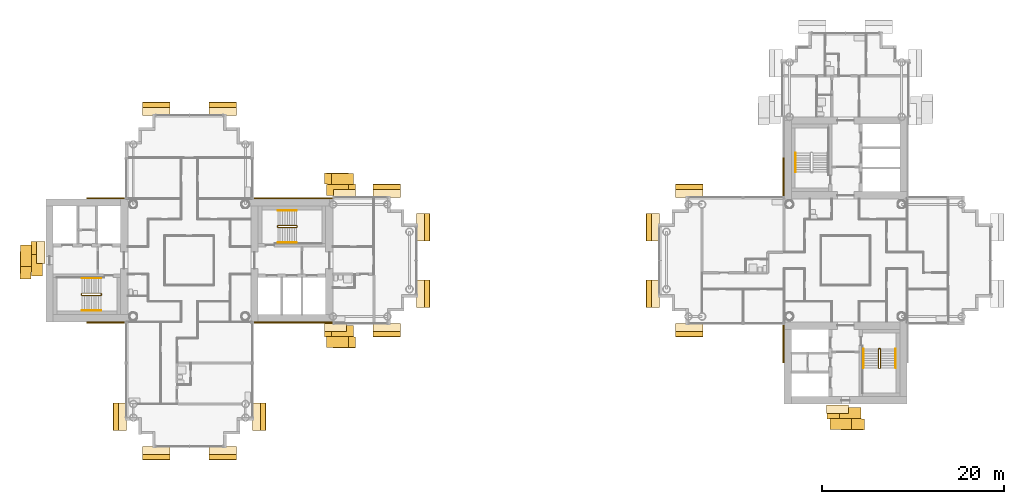
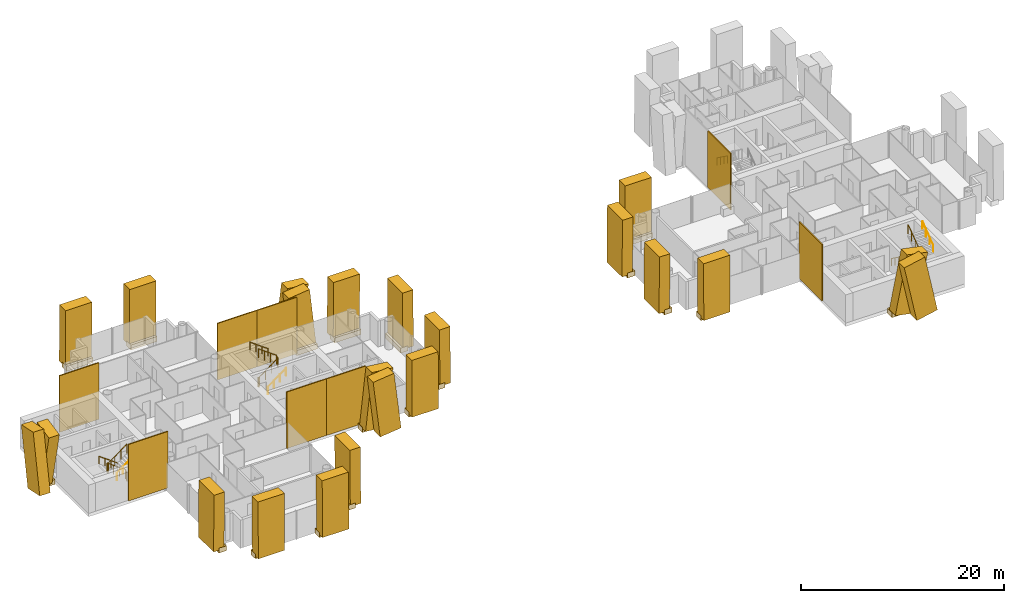
# One storey, part 16 of 18: 48 coverings, 10 railings.
"""IFC4 building model written with IfcOpenShell, lengths in metres."""

from ifc_helpers import new_model, si_unit, direction, frame, origin, origin_2d, place, context, subcontext, project, spatial, rectangle, circle, extrude, material, layer, layer_set, material_profile, profile_set, type_object, element, save


model = new_model("IFC4")

# Units and contexts
model_context = context("Model", 3, precision=1e-05, world=origin(), true_north=direction((0.0, 1.0)))
body_context = subcontext(model_context, "Body", "Model", "MODEL_VIEW")
ifc_project = project(units=[si_unit("LENGTHUNIT", "METRE"), si_unit("AREAUNIT", "SQUARE_METRE"), si_unit("VOLUMEUNIT", "CUBIC_METRE"), si_unit("PLANEANGLEUNIT", "RADIAN"), si_unit("MASSUNIT", "GRAM", prefix="KILO")], contexts=[model_context])

# Site, building, storey
site_placement = place(None, origin())
site = spatial("IfcSite", under=ifc_project, at=site_placement, CompositionType="ELEMENT")
building_placement = place(site_placement, origin())
building = spatial("IfcBuilding", under=site, at=building_placement, Name="Ipe Terrace Towers", CompositionType="ELEMENT")
storey_placement = place(building_placement, frame((0.0, 0.0, 150.699951171875)))
storey = spatial("IfcBuildingStorey", under=building, at=storey_placement, Name="L41", CompositionType="ELEMENT", Elevation=150.699951171875)

# Coverings
ifc_material_1 = material(Name="Concrete C50/60 precast, buff finish", Category="concrete")
ifc_layer = layer(ifc_material_1, 0.1201171875)
ifc_layer_set = layer_set([ifc_layer], Name="STONE CORE CLADDING 120")
covering_type_1 = type_object("IfcCoveringType", Name="STONE CORE CLADDING 120", PredefinedType="CLADDING", material=ifc_layer_set)
for number, where, z_axis, x_axis, name in (
    (1, (-45.0, -6.81005859375, 0.0), (0.0, 0.0, 1.0), (1.0, 0.0, 0.0), "stone core cladding"),
    (2, (-45.0, 6.81005859375, 0.0), (0.0, 0.0, 1.0), (-1.0, 0.0, 0.0), "stone core cladding"),
    (3, (-27.0, -6.81005859375, 0.0), (0.0, 0.0, 1.0), (1.0, 0.0, 0.0), "stone core cladding"),
):
    element("IfcCovering", number, at=place(storey_placement, frame(where, z_axis=z_axis, x_axis=x_axis)), inside=storey, type_object=covering_type_1, Name=name, PredefinedType="CLADDING", context=body_context, shape_type="SweptSolid", body=[
        extrude(rectangle(XDim=4.5, YDim=0.1201171875, at=origin_2d()), origin(), (0.0, 0.0, 1.0), 6.800048828125),
    ])
covering_1_placement = place(storey_placement, frame((-22.4990234375, -6.81005859375, 0.0), z_axis=(0.0, 0.0, 1.0), x_axis=(1.0, 0.0, 0.0)))
element("IfcCovering", 4, at=covering_1_placement, inside=storey, type_object=covering_type_1, Name="stone core cladding", PredefinedType="CLADDING", context=body_context, shape_type="SweptSolid", body=[
    extrude(rectangle(XDim=4.5009765625, YDim=0.1201171875, at=origin_2d()), origin(), (0.0, 0.0, 1.0), 6.800048828125),
])
covering_2_placement = place(storey_placement, frame((-27.0, 6.81005859375, 0.0), z_axis=(0.0, 0.0, 1.0), x_axis=(-1.0, 0.0, 0.0)))
element("IfcCovering", 5, at=covering_2_placement, inside=storey, type_object=covering_type_1, Name="stone core cladding", PredefinedType="CLADDING", context=body_context, shape_type="SweptSolid", body=[
    extrude(rectangle(XDim=4.5, YDim=0.1201171875, at=origin_2d()), origin(), (0.0, 0.0, 1.0), 6.800048828125),
])
covering_3_placement = place(storey_placement, frame((-22.4990234375, 6.81005859375, 0.0), z_axis=(0.0, 0.0, 1.0), x_axis=(-1.0, 0.0, 0.0)))
element("IfcCovering", 6, at=covering_3_placement, inside=storey, type_object=covering_type_1, Name="stone core cladding", PredefinedType="CLADDING", context=body_context, shape_type="SweptSolid", body=[
    extrude(rectangle(XDim=4.5009765625, YDim=0.1201171875, at=origin_2d()), origin(), (0.0, 0.0, 1.0), 6.800048828125),
])
for number, where, z_axis, x_axis, name in (
    (7, (29.18994140625, -9.0, 0.0), (0.0, 0.0, 1.0), (0.0, -1.0, 0.0), "stone core cladding"),
    (8, (29.18994140625, 9.0, 0.0), (0.0, 0.0, 1.0), (0.0, -1.0, 0.0), "stone core cladding"),
):
    element("IfcCovering", number, at=place(storey_placement, frame(where, z_axis=z_axis, x_axis=x_axis)), inside=storey, type_object=covering_type_1, Name=name, PredefinedType="CLADDING", context=body_context, shape_type="SweptSolid", body=[
        extrude(rectangle(XDim=4.5, YDim=0.1201171875, at=origin_2d()), origin(), (0.0, 0.0, 1.0), 6.800048828125),
    ])
ifc_material_2 = material(Name="Concrete C50/60 precast, buff finish", Category="concrete")
ifc_material_profile_1 = material_profile(ifc_material_2, rectangle(XDim=2.39990234375, YDim=1.199951171875, at=origin_2d()), Name="STONE FIN 2400 x 1200")
ifc_profile_set_1 = profile_set([ifc_material_profile_1], Name="Concrete C50/60 precast, buff finish")
covering_type_2 = type_object("IfcCoveringType", Name="STONE FIN 2400 x 1200", PredefinedType="USERDEFINED", material=ifc_profile_set_1)
for number, where, z_axis, x_axis, name in (
    (9, (-18.989990234375, -8.98291015625, 0.0), (-0.112373741201, 0.0080266958, 0.993633591644), (0.993666011439, 0.000907739439, 0.112370074845), "stone fin"),
    (10, (-18.989990234375, 7.782958984375, 0.0), (-0.112373741201, -0.0080266958, 0.993633591644), (-0.993666011439, 0.000907739439, -0.112370074845), "stone fin"),
    (11, (-19.9599609375, -7.782958984375, 0.0), (0.112373741201, 0.0080266958, 0.993633591644), (0.993666011439, -0.000907739439, -0.112370074845), "stone fin"),
    (12, (-19.9599609375, 8.98291015625, 0.0), (0.112373741201, -0.0080266958, 0.993633591644), (-0.993666011439, -0.000907739439, 0.112370074845), "stone fin"),
):
    element("IfcCovering", number, at=place(storey_placement, frame(where, z_axis=z_axis, x_axis=x_axis)), inside=storey, type_object=covering_type_2, Name=name, ObjectType="FIN", PredefinedType="USERDEFINED", context=body_context, shape_type="SweptSolid", body=[
        extrude(rectangle(XDim=2.39990234375, YDim=1.199951171875, at=origin_2d()), origin(), (0.0, 0.0, 1.0), 6.843505859375),
    ])
for number, where, z_axis, x_axis, name in (
    (13, (-53.98291015625, -0.876953125, 0.0), (0.007914022702, 0.200383054819, 0.979685663663), (0.001618666446, -0.979717628371, 0.200376517032), "stone fin"),
    (14, (-52.782958984375, 0.876953125, 0.0), (0.007914022702, -0.200383054819, 0.979685663663), (-0.001618666446, -0.979717628371, -0.200376517032), "stone fin"),
    (15, (35.123046875, -16.782958984375, 0.0), (0.200383054819, 0.007914022702, 0.979685663663), (0.979717628371, -0.001618666446, -0.200376517032), "stone fin"),
    (16, (36.876953125, -17.98291015625, 0.0), (-0.200383054819, 0.007914022702, 0.979685663663), (0.979717628371, 0.001618666446, 0.200376517032), "stone fin"),
):
    element("IfcCovering", number, at=place(storey_placement, frame(where, z_axis=z_axis, x_axis=x_axis)), inside=storey, type_object=covering_type_2, Name=name, ObjectType="FIN", PredefinedType="USERDEFINED", context=body_context, shape_type="SweptSolid", body=[
        extrude(rectangle(XDim=2.39990234375, YDim=1.199951171875, at=origin_2d()), origin(), (0.0, 0.0, 1.0), 6.941162109375),
    ])
ifc_material_3 = material(Name="Concrete C50/60 precast, buff finish", Category="concrete")
ifc_material_profile_2 = material_profile(ifc_material_3, rectangle(XDim=3.0, YDim=1.199951171875, at=origin_2d()), Name="STONE FIN CORNER 3000 x 1200")
ifc_profile_set_2 = profile_set([ifc_material_profile_2], Name="Concrete C50/60 precast, buff finish")
covering_type_3 = type_object("IfcCoveringType", Name="STONE FIN CORNER 3000 x 1200", PredefinedType="USERDEFINED", material=ifc_profile_set_2)
for number, where, z_axis, x_axis, name in (
    (17, (-10.217041015625, -3.64990234375, 0.0), (-0.008077860878, 0.0, 0.99996737355), (0.0, 1.0, 0.0), "stone fin"),
    (18, (-10.217041015625, 3.64990234375, 0.0), (-0.008077860878, 0.0, 0.99996737355), (0.0, 1.0, 0.0), "stone fin"),
    (19, (-14.35009765625, -7.782958984375, 0.0), (0.0, 0.008077860878, 0.99996737355), (1.0, 0.0, 0.0), "stone fin"),
    (20, (-14.35009765625, 7.782958984375, 0.0), (0.0, -0.008077860878, 0.99996737355), (-1.0, 0.0, 0.0), "stone fin"),
    (21, (-28.217041015625, -17.14990234375, 0.0), (-0.008077860878, 0.0, 0.99996737355), (0.0, 1.0, 0.0), "stone fin"),
    (22, (-32.35009765625, -21.282958984375, 0.0), (0.0, 0.008077860878, 0.99996737355), (1.0, 0.0, 0.0), "stone fin"),
    (23, (-32.35009765625, 16.782958984375, 0.0), (0.0, -0.008077860878, 0.99996737355), (-1.0, 0.0, 0.0), "stone fin"),
    (24, (-39.64990234375, -21.282958984375, 0.0), (0.0, 0.008077860878, 0.99996737355), (1.0, 0.0, 0.0), "stone fin"),
    (25, (-39.64990234375, 16.782958984375, 0.0), (0.0, -0.008077860878, 0.99996737355), (-1.0, 0.0, 0.0), "stone fin"),
    (26, (-43.782958984375, -17.14990234375, 0.0), (0.008077860878, 0.0, 0.99996737355), (0.0, -1.0, 0.0), "stone fin"),
    (27, (14.717041015625, -3.64990234375, 0.0), (0.008077860878, 0.0, 0.99996737355), (0.0, -1.0, 0.0), "stone fin"),
    (28, (14.717041015625, 3.64990234375, 0.0), (0.008077860878, 0.0, 0.99996737355), (0.0, -1.0, 0.0), "stone fin"),
    (29, (18.85009765625, -7.782958984375, 0.0), (0.0, 0.008077860878, 0.99996737355), (1.0, 0.0, 0.0), "stone fin"),
    (30, (18.85009765625, 7.782958984375, 0.0), (0.0, -0.008077860878, 0.99996737355), (-1.0, 0.0, 0.0), "stone fin"),
):
    element("IfcCovering", number, at=place(storey_placement, frame(where, z_axis=z_axis, x_axis=x_axis)), inside=storey, type_object=covering_type_3, Name=name, ObjectType="FIN", PredefinedType="USERDEFINED", context=body_context, shape_type="SweptSolid", body=[
        extrude(rectangle(XDim=3.0, YDim=1.199951171875, at=origin_2d()), origin(), (0.0, 0.0, 1.0), 6.80029296875),
    ])
ifc_material_4 = material(Name="Concrete C50/60 precast, buff finish", Category="concrete")
covering_type_4 = type_object("IfcCoveringType", Name="STONE FIN SHELF 2400 x 600", PredefinedType="CLADDING", material=ifc_material_4)
for number, where, z_axis, x_axis, name in (
    (31, (-18.989990234375, 7.34912109375, -0.35009765625), (0.0, 0.0, 1.0), (-1.0, 0.0, 0.0), "stone fin shelf"),
    (32, (-19.9599609375, -7.34912109375, -0.35009765625), (0.0, 0.0, 1.0), (1.0, 0.0, 0.0), "stone fin shelf"),
):
    element("IfcCovering", number, at=place(storey_placement, frame(where, z_axis=z_axis, x_axis=x_axis)), inside=storey, type_object=covering_type_4, Name=name, PredefinedType="CLADDING", context=body_context, shape_type="SweptSolid", body=[
        extrude(rectangle(XDim=2.39990234375, YDim=0.866943359375, at=origin_2d()), origin(), (0.0, 0.0, 1.0), 0.60009765625),
    ])
for number, where, z_axis, x_axis, name in (
    (33, (-52.322021484375, 0.876953125, -0.35009765625), (0.0, 0.0, 1.0), (0.0, -1.0, 0.0), "stone fin shelf"),
    (34, (35.123046875, -16.322021484375, -0.35009765625), (0.0, 0.0, 1.0), (1.0, 0.0, 0.0), "stone fin shelf"),
):
    element("IfcCovering", number, at=place(storey_placement, frame(where, z_axis=z_axis, x_axis=x_axis)), inside=storey, type_object=covering_type_4, Name=name, PredefinedType="CLADDING", context=body_context, shape_type="SweptSolid", body=[
        extrude(rectangle(XDim=2.39990234375, YDim=0.923095703125, at=origin_2d()), origin(), (0.0, 0.0, 1.0), 0.60009765625),
    ])
ifc_material_5 = material(Name="Concrete C50/60 precast, buff finish", Category="concrete")
covering_type_5 = type_object("IfcCoveringType", Name="STONE FIN SHELF 3000 x 600", PredefinedType="CLADDING", material=ifc_material_5)
for number, where, z_axis, x_axis, name in (
    (35, (-10.65087890625, -3.64990234375, -0.35009765625), (0.0, 0.0, 1.0), (0.0, 1.0, 0.0), "stone fin shelf"),
    (36, (-10.65087890625, 3.64990234375, -0.35009765625), (0.0, 0.0, 1.0), (0.0, 1.0, 0.0), "stone fin shelf"),
    (37, (-14.35009765625, -7.34912109375, -0.35009765625), (0.0, 0.0, 1.0), (1.0, 0.0, 0.0), "stone fin shelf"),
    (38, (-14.35009765625, 7.34912109375, -0.35009765625), (0.0, 0.0, 1.0), (-1.0, 0.0, 0.0), "stone fin shelf"),
    (39, (-28.65087890625, -17.14990234375, -0.35009765625), (0.0, 0.0, 1.0), (0.0, 1.0, 0.0), "stone fin shelf"),
    (40, (-32.35009765625, -20.84912109375, -0.35009765625), (0.0, 0.0, 1.0), (1.0, 0.0, 0.0), "stone fin shelf"),
    (41, (-32.35009765625, 16.34912109375, -0.35009765625), (0.0, 0.0, 1.0), (-1.0, 0.0, 0.0), "stone fin shelf"),
    (42, (-39.64990234375, -20.84912109375, -0.35009765625), (0.0, 0.0, 1.0), (1.0, 0.0, 0.0), "stone fin shelf"),
    (43, (-39.64990234375, 16.34912109375, -0.35009765625), (0.0, 0.0, 1.0), (-1.0, 0.0, 0.0), "stone fin shelf"),
    (44, (-43.34912109375, -17.14990234375, -0.35009765625), (0.0, 0.0, 1.0), (0.0, -1.0, 0.0), "stone fin shelf"),
    (45, (15.15087890625, -3.64990234375, -0.35009765625), (0.0, 0.0, 1.0), (0.0, -1.0, 0.0), "stone fin shelf"),
    (46, (15.15087890625, 3.64990234375, -0.35009765625), (0.0, 0.0, 1.0), (0.0, -1.0, 0.0), "stone fin shelf"),
    (47, (18.85009765625, -7.34912109375, -0.35009765625), (0.0, 0.0, 1.0), (1.0, 0.0, 0.0), "stone fin shelf"),
    (48, (18.85009765625, 7.34912109375, -0.35009765625), (0.0, 0.0, 1.0), (-1.0, 0.0, 0.0), "stone fin shelf"),
):
    element("IfcCovering", number, at=place(storey_placement, frame(where, z_axis=z_axis, x_axis=x_axis)), inside=storey, type_object=covering_type_5, Name=name, PredefinedType="CLADDING", context=body_context, shape_type="SweptSolid", body=[
        extrude(rectangle(XDim=3.0, YDim=0.866943359375, at=origin_2d()), origin(), (0.0, 0.0, 1.0), 0.60009765625),
    ])

# Railings
ifc_material_6 = material(Name="Steel S355", Category="steel")
railing_type_1 = type_object("IfcRailingType", Name="Stair guard 1100", PredefinedType="GUARDRAIL", material=ifc_material_6)
railing_1_placement = place(storey_placement, frame((-26.35009765625, 3.800048828125, 0.0)))
element("IfcRailing", 49, at=railing_1_placement, inside=storey, type_object=railing_type_1, Name="L41 T1-ST1 stair guard 1", PredefinedType="GUARDRAIL", context=body_context, shape_type="SweptSolid", body=[
    extrude(circle(Radius=0.02392578125, at=origin_2d()), frame((0.0, 0.0, 1.076171875), z_axis=(0.0, -1.0, 0.0), x_axis=(1.0, 0.0, 0.0)), (0.0, 0.0, 1.0), 0.150146484375),
    extrude(circle(Radius=0.02392578125, at=origin_2d()), frame((0.0, -0.150146484375, 1.076171875), z_axis=(0.248103849378, -0.246893586699, 0.936743314239), x_axis=(0.705375805398, 0.708833529934, 0.0)), (0.0, 0.0, 1.0), 0.20166015625),
    extrude(circle(Radius=0.02392578125, at=origin_2d()), frame((0.050048828125, -0.199951171875, 1.26513671875), z_axis=(0.809068575486, 0.0, 0.587714250432), x_axis=(0.0, 1.0, 0.0)), (0.0, 0.0, 1.0), 2.571044921875),
    extrude(circle(Radius=0.02392578125, at=origin_2d()), frame((2.130126953125, -0.199951171875, 2.77587890625), z_axis=(0.708833529934, 0.705375805398, 0.0), x_axis=(-0.705375805398, 0.708833529934, 0.0)), (0.0, 0.0, 1.0), 0.070556640625),
    extrude(circle(Radius=0.02392578125, at=origin_2d()), frame((2.18017578125, -0.150146484375, 2.77587890625), z_axis=(0.0, 1.0, 0.0), x_axis=(-1.0, 0.0, 0.0)), (0.0, 0.0, 1.0), 0.150146484375),
    extrude(circle(Radius=0.02392578125, at=origin_2d()), frame((2.18017578125, 0.0, 2.77587890625), z_axis=(-0.248029566107, 0.248029566107, 0.936462849596), x_axis=(-0.707106781187, -0.707106781187, 0.0)), (0.0, 0.0, 1.0), 0.201904296875),
    extrude(circle(Radius=0.02392578125, at=origin_2d()), frame((2.130126953125, 0.050048828125, 2.96484375), z_axis=(-0.809023421508, 0.0, 0.587776406001), x_axis=(0.0, -1.0, 0.0)), (0.0, 0.0, 1.0), 2.571044921875),
    extrude(circle(Radius=0.02099609375, at=origin_2d()), origin(), (0.0, 0.0, 1.0), 1.052001953125),
    extrude(circle(Radius=0.02099609375, at=origin_2d()), frame((0.0, -0.150146484375, 0.0)), (0.0, 0.0, 1.0), 1.052001953125),
    extrude(circle(Radius=0.02099609375, at=origin_2d()), frame((0.050048828125, -0.199951171875, 0.18896484375)), (0.0, 0.0, 1.0), 1.052001953125),
    extrude(circle(Radius=0.02099609375, at=origin_2d()), frame((0.743408203125, -0.199951171875, 0.692626953125)), (0.0, 0.0, 1.0), 1.052001953125),
    extrude(circle(Radius=0.02099609375, at=origin_2d()), frame((1.436767578125, -0.199951171875, 1.1962890625)), (0.0, 0.0, 1.0), 1.052001953125),
    extrude(circle(Radius=0.02099609375, at=origin_2d()), frame((2.130126953125, -0.199951171875, 1.699951171875)), (0.0, 0.0, 1.0), 1.052001953125),
    extrude(circle(Radius=0.02099609375, at=origin_2d()), frame((2.18017578125, -0.150146484375, 1.699951171875)), (0.0, 0.0, 1.0), 1.052001953125),
    extrude(circle(Radius=0.02099609375, at=origin_2d()), frame((2.18017578125, 0.0, 1.699951171875)), (0.0, 0.0, 1.0), 1.052001953125),
    extrude(circle(Radius=0.02099609375, at=origin_2d()), frame((2.130126953125, 0.050048828125, 1.888916015625)), (0.0, 0.0, 1.0), 1.052001953125),
    extrude(circle(Radius=0.02099609375, at=origin_2d()), frame((1.436767578125, 0.050048828125, 2.392578125)), (0.0, 0.0, 1.0), 1.052001953125),
    extrude(circle(Radius=0.02099609375, at=origin_2d()), frame((0.743408203125, 0.050048828125, 2.896484375)), (0.0, 0.0, 1.0), 1.052001953125),
    extrude(circle(Radius=0.02099609375, at=origin_2d()), frame((0.050048828125, 0.050048828125, 3.400146484375)), (0.0, 0.0, 1.0), 1.052001953125),
])
railing_2_placement = place(storey_placement, frame((-45.64990234375, -3.800048828125, 0.0)))
element("IfcRailing", 50, at=railing_2_placement, inside=storey, type_object=railing_type_1, Name="L41 T1-ST2 stair guard 1", PredefinedType="GUARDRAIL", context=body_context, shape_type="SweptSolid", body=[
    extrude(circle(Radius=0.02392578125, at=origin_2d()), frame((0.0, 0.0, 1.076171875), z_axis=(0.0, 1.0, 0.0), x_axis=(-1.0, 0.0, 0.0)), (0.0, 0.0, 1.0), 0.150146484375),
    extrude(circle(Radius=0.02392578125, at=origin_2d()), frame((0.0, 0.150146484375, 1.076171875), z_axis=(-0.248103849378, 0.246893586699, 0.936743314239), x_axis=(-0.705375805398, -0.708833529934, 0.0)), (0.0, 0.0, 1.0), 0.20166015625),
    extrude(circle(Radius=0.02392578125, at=origin_2d()), frame((-0.050048828125, 0.199951171875, 1.26513671875), z_axis=(-0.809068575486, 0.0, 0.587714250432), x_axis=(0.0, -1.0, 0.0)), (0.0, 0.0, 1.0), 2.571044921875),
    extrude(circle(Radius=0.02392578125, at=origin_2d()), frame((-2.130126953125, 0.199951171875, 2.77587890625), z_axis=(-0.708833529934, -0.705375805398, 0.0), x_axis=(0.705375805398, -0.708833529934, 0.0)), (0.0, 0.0, 1.0), 0.070556640625),
    extrude(circle(Radius=0.02392578125, at=origin_2d()), frame((-2.18017578125, 0.150146484375, 2.77587890625), z_axis=(0.0, -1.0, 0.0), x_axis=(1.0, 0.0, 0.0)), (0.0, 0.0, 1.0), 0.150146484375),
    extrude(circle(Radius=0.02392578125, at=origin_2d()), frame((-2.18017578125, 0.0, 2.77587890625), z_axis=(0.248029566107, -0.248029566107, 0.936462849596), x_axis=(0.707106781187, 0.707106781187, 0.0)), (0.0, 0.0, 1.0), 0.201904296875),
    extrude(circle(Radius=0.02392578125, at=origin_2d()), frame((-2.130126953125, -0.050048828125, 2.96484375), z_axis=(0.809023421508, 0.0, 0.587776406001), x_axis=(0.0, 1.0, 0.0)), (0.0, 0.0, 1.0), 2.571044921875),
    extrude(circle(Radius=0.02099609375, at=origin_2d()), origin(), (0.0, 0.0, 1.0), 1.052001953125),
    extrude(circle(Radius=0.02099609375, at=origin_2d()), frame((0.0, 0.150146484375, 0.0)), (0.0, 0.0, 1.0), 1.052001953125),
    extrude(circle(Radius=0.02099609375, at=origin_2d()), frame((-0.050048828125, 0.199951171875, 0.18896484375)), (0.0, 0.0, 1.0), 1.052001953125),
    extrude(circle(Radius=0.02099609375, at=origin_2d()), frame((-0.743408203125, 0.199951171875, 0.692626953125)), (0.0, 0.0, 1.0), 1.052001953125),
    extrude(circle(Radius=0.02099609375, at=origin_2d()), frame((-1.436767578125, 0.199951171875, 1.1962890625)), (0.0, 0.0, 1.0), 1.052001953125),
    extrude(circle(Radius=0.02099609375, at=origin_2d()), frame((-2.130126953125, 0.199951171875, 1.699951171875)), (0.0, 0.0, 1.0), 1.052001953125),
    extrude(circle(Radius=0.02099609375, at=origin_2d()), frame((-2.18017578125, 0.150146484375, 1.699951171875)), (0.0, 0.0, 1.0), 1.052001953125),
    extrude(circle(Radius=0.02099609375, at=origin_2d()), frame((-2.18017578125, 0.0, 1.699951171875)), (0.0, 0.0, 1.0), 1.052001953125),
    extrude(circle(Radius=0.02099609375, at=origin_2d()), frame((-2.130126953125, -0.050048828125, 1.888916015625)), (0.0, 0.0, 1.0), 1.052001953125),
    extrude(circle(Radius=0.02099609375, at=origin_2d()), frame((-1.436767578125, -0.050048828125, 2.392578125)), (0.0, 0.0, 1.0), 1.052001953125),
    extrude(circle(Radius=0.02099609375, at=origin_2d()), frame((-0.743408203125, -0.050048828125, 2.896484375)), (0.0, 0.0, 1.0), 1.052001953125),
    extrude(circle(Radius=0.02099609375, at=origin_2d()), frame((-0.050048828125, -0.050048828125, 3.400146484375)), (0.0, 0.0, 1.0), 1.052001953125),
])
railing_3_placement = place(storey_placement, frame((39.800048828125, -9.64990234375, 0.0)))
element("IfcRailing", 51, at=railing_3_placement, inside=storey, type_object=railing_type_1, Name="L41 T2-ST2 stair guard 1", PredefinedType="GUARDRAIL", context=body_context, shape_type="SweptSolid", body=[
    extrude(circle(Radius=0.02392578125, at=origin_2d()), frame((0.0, 0.0, 1.076171875), z_axis=(-1.0, 0.0, 0.0), x_axis=(0.0, -1.0, 0.0)), (0.0, 0.0, 1.0), 0.150146484375),
    extrude(circle(Radius=0.02392578125, at=origin_2d()), frame((-0.150146484375, 0.0, 1.076171875), z_axis=(-0.246893586699, -0.248103849378, 0.936743314239), x_axis=(0.708833529934, -0.705375805398, 0.0)), (0.0, 0.0, 1.0), 0.20166015625),
    extrude(circle(Radius=0.02392578125, at=origin_2d()), frame((-0.199951171875, -0.050048828125, 1.26513671875), z_axis=(0.0, -0.809068575486, 0.587714250432), x_axis=(1.0, 0.0, 0.0)), (0.0, 0.0, 1.0), 2.571044921875),
    extrude(circle(Radius=0.02392578125, at=origin_2d()), frame((-0.199951171875, -2.130126953125, 2.77587890625), z_axis=(0.705375805398, -0.708833529934, 0.0), x_axis=(0.708833529934, 0.705375805398, 0.0)), (0.0, 0.0, 1.0), 0.070556640625),
    extrude(circle(Radius=0.02392578125, at=origin_2d()), frame((-0.150146484375, -2.18017578125, 2.77587890625), z_axis=(1.0, 0.0, 0.0), x_axis=(0.0, 1.0, 0.0)), (0.0, 0.0, 1.0), 0.150146484375),
    extrude(circle(Radius=0.02392578125, at=origin_2d()), frame((0.0, -2.18017578125, 2.77587890625), z_axis=(0.248029566107, 0.248029566107, 0.936462849596), x_axis=(-0.707106781187, 0.707106781187, 0.0)), (0.0, 0.0, 1.0), 0.201904296875),
    extrude(circle(Radius=0.02392578125, at=origin_2d()), frame((0.050048828125, -2.130126953125, 2.96484375), z_axis=(0.0, 0.809023421508, 0.587776406001), x_axis=(-1.0, 0.0, 0.0)), (0.0, 0.0, 1.0), 2.571044921875),
    extrude(circle(Radius=0.02099609375, at=origin_2d()), origin(), (0.0, 0.0, 1.0), 1.052001953125),
    extrude(circle(Radius=0.02099609375, at=origin_2d()), frame((-0.150146484375, 0.0, 0.0)), (0.0, 0.0, 1.0), 1.052001953125),
    extrude(circle(Radius=0.02099609375, at=origin_2d()), frame((-0.199951171875, -0.050048828125, 0.18896484375)), (0.0, 0.0, 1.0), 1.052001953125),
    extrude(circle(Radius=0.02099609375, at=origin_2d()), frame((-0.199951171875, -0.743408203125, 0.692626953125)), (0.0, 0.0, 1.0), 1.052001953125),
    extrude(circle(Radius=0.02099609375, at=origin_2d()), frame((-0.199951171875, -1.436767578125, 1.1962890625)), (0.0, 0.0, 1.0), 1.052001953125),
    extrude(circle(Radius=0.02099609375, at=origin_2d()), frame((-0.199951171875, -2.130126953125, 1.699951171875)), (0.0, 0.0, 1.0), 1.052001953125),
    extrude(circle(Radius=0.02099609375, at=origin_2d()), frame((-0.150146484375, -2.18017578125, 1.699951171875)), (0.0, 0.0, 1.0), 1.052001953125),
    extrude(circle(Radius=0.02099609375, at=origin_2d()), frame((0.0, -2.18017578125, 1.699951171875)), (0.0, 0.0, 1.0), 1.052001953125),
    extrude(circle(Radius=0.02099609375, at=origin_2d()), frame((0.050048828125, -2.130126953125, 1.888916015625)), (0.0, 0.0, 1.0), 1.052001953125),
    extrude(circle(Radius=0.02099609375, at=origin_2d()), frame((0.050048828125, -1.436767578125, 2.392578125)), (0.0, 0.0, 1.0), 1.052001953125),
    extrude(circle(Radius=0.02099609375, at=origin_2d()), frame((0.050048828125, -0.743408203125, 2.896484375)), (0.0, 0.0, 1.0), 1.052001953125),
    extrude(circle(Radius=0.02099609375, at=origin_2d()), frame((0.050048828125, -0.050048828125, 3.400146484375)), (0.0, 0.0, 1.0), 1.052001953125),
])
ifc_material_7 = material(Name="Stainless steel grade 304", Category="steel")
railing_type_2 = type_object("IfcRailingType", Name="Stair handrail 900", PredefinedType="HANDRAIL", material=ifc_material_7)
railing_4_placement = place(storey_placement, frame((-26.300048828125, 1.949951171875, 0.18896484375)))
element("IfcRailing", 52, at=railing_4_placement, inside=storey, type_object=railing_type_2, Name="L41 T1-ST1 stair handrail 1", PredefinedType="HANDRAIL", context=body_context, shape_type="SweptSolid", body=[
    extrude(circle(Radius=0.02392578125, at=origin_2d()), frame((0.0, 0.0, 0.8759765625), z_axis=(0.809068575486, 0.0, 0.587714250432), x_axis=(0.0, 1.0, 0.0)), (0.0, 0.0, 1.0), 2.571044921875),
    extrude(circle(Radius=0.02099609375, at=origin_2d()), origin(), (0.0, 0.0, 1.0), 0.851806640625),
    extrude(circle(Radius=0.02099609375, at=origin_2d()), frame((0.693359375, 0.0, 0.503662109375)), (0.0, 0.0, 1.0), 0.851806640625),
    extrude(circle(Radius=0.02099609375, at=origin_2d()), frame((1.38671875, 0.0, 1.00732421875)), (0.0, 0.0, 1.0), 0.851806640625),
    extrude(circle(Radius=0.02099609375, at=origin_2d()), frame((2.080078125, 0.0, 1.510986328125)), (0.0, 0.0, 1.0), 0.851806640625),
])
railing_5_placement = place(storey_placement, frame((-24.219970703125, 5.5, 1.888916015625)))
element("IfcRailing", 53, at=railing_5_placement, inside=storey, type_object=railing_type_2, Name="L41 T1-ST1 stair handrail 2", PredefinedType="HANDRAIL", context=body_context, shape_type="SweptSolid", body=[
    extrude(circle(Radius=0.02392578125, at=origin_2d()), frame((0.0, 0.0, 0.8759765625), z_axis=(-0.809023421508, 0.0, 0.587776406001), x_axis=(0.0, -1.0, 0.0)), (0.0, 0.0, 1.0), 2.571044921875),
    extrude(circle(Radius=0.02099609375, at=origin_2d()), origin(), (0.0, 0.0, 1.0), 0.851806640625),
    extrude(circle(Radius=0.02099609375, at=origin_2d()), frame((-0.693359375, 0.0, 0.503662109375)), (0.0, 0.0, 1.0), 0.851806640625),
    extrude(circle(Radius=0.02099609375, at=origin_2d()), frame((-1.38671875, 0.0, 1.007568359375)), (0.0, 0.0, 1.0), 0.851806640625),
    extrude(circle(Radius=0.02099609375, at=origin_2d()), frame((-2.080078125, 0.0, 1.51123046875)), (0.0, 0.0, 1.0), 0.851806640625),
])
railing_6_placement = place(storey_placement, frame((-45.699951171875, -1.949951171875, 0.18896484375)))
element("IfcRailing", 54, at=railing_6_placement, inside=storey, type_object=railing_type_2, Name="L41 T1-ST2 stair handrail 1", PredefinedType="HANDRAIL", context=body_context, shape_type="SweptSolid", body=[
    extrude(circle(Radius=0.02392578125, at=origin_2d()), frame((0.0, 0.0, 0.8759765625), z_axis=(-0.809068575486, 0.0, 0.587714250432), x_axis=(0.0, -1.0, 0.0)), (0.0, 0.0, 1.0), 2.571044921875),
    extrude(circle(Radius=0.02099609375, at=origin_2d()), origin(), (0.0, 0.0, 1.0), 0.851806640625),
    extrude(circle(Radius=0.02099609375, at=origin_2d()), frame((-0.693359375, 0.0, 0.503662109375)), (0.0, 0.0, 1.0), 0.851806640625),
    extrude(circle(Radius=0.02099609375, at=origin_2d()), frame((-1.38671875, 0.0, 1.00732421875)), (0.0, 0.0, 1.0), 0.851806640625),
    extrude(circle(Radius=0.02099609375, at=origin_2d()), frame((-2.080078125, 0.0, 1.510986328125)), (0.0, 0.0, 1.0), 0.851806640625),
])
railing_7_placement = place(storey_placement, frame((-47.780029296875, -5.5, 1.888916015625)))
element("IfcRailing", 55, at=railing_7_placement, inside=storey, type_object=railing_type_2, Name="L41 T1-ST2 stair handrail 2", PredefinedType="HANDRAIL", context=body_context, shape_type="SweptSolid", body=[
    extrude(circle(Radius=0.02392578125, at=origin_2d()), frame((0.0, 0.0, 0.8759765625), z_axis=(0.809023421508, 0.0, 0.587776406001), x_axis=(0.0, 1.0, 0.0)), (0.0, 0.0, 1.0), 2.571044921875),
    extrude(circle(Radius=0.02099609375, at=origin_2d()), origin(), (0.0, 0.0, 1.0), 0.851806640625),
    extrude(circle(Radius=0.02099609375, at=origin_2d()), frame((0.693359375, 0.0, 0.503662109375)), (0.0, 0.0, 1.0), 0.851806640625),
    extrude(circle(Radius=0.02099609375, at=origin_2d()), frame((1.38671875, 0.0, 1.007568359375)), (0.0, 0.0, 1.0), 0.851806640625),
    extrude(circle(Radius=0.02099609375, at=origin_2d()), frame((2.080078125, 0.0, 1.51123046875)), (0.0, 0.0, 1.0), 0.851806640625),
])
railing_8_placement = place(storey_placement, frame((30.5, 11.780029296875, 1.888916015625)))
element("IfcRailing", 56, at=railing_8_placement, inside=storey, type_object=railing_type_2, Name="L41 T2-ST1 stair handrail 2", PredefinedType="HANDRAIL", context=body_context, shape_type="SweptSolid", body=[
    extrude(circle(Radius=0.02392578125, at=origin_2d()), frame((0.0, 0.0, 0.8759765625), z_axis=(0.0, -0.809023421508, 0.587776406001), x_axis=(1.0, 0.0, 0.0)), (0.0, 0.0, 1.0), 2.571044921875),
    extrude(circle(Radius=0.02099609375, at=origin_2d()), origin(), (0.0, 0.0, 1.0), 0.851806640625),
    extrude(circle(Radius=0.02099609375, at=origin_2d()), frame((0.0, -0.693359375, 0.503662109375)), (0.0, 0.0, 1.0), 0.851806640625),
    extrude(circle(Radius=0.02099609375, at=origin_2d()), frame((0.0, -1.38671875, 1.007568359375)), (0.0, 0.0, 1.0), 0.851806640625),
    extrude(circle(Radius=0.02099609375, at=origin_2d()), frame((0.0, -2.080078125, 1.51123046875)), (0.0, 0.0, 1.0), 0.851806640625),
])
railing_9_placement = place(storey_placement, frame((37.949951171875, -9.699951171875, 0.18896484375)))
element("IfcRailing", 57, at=railing_9_placement, inside=storey, type_object=railing_type_2, Name="L41 T2-ST2 stair handrail 1", PredefinedType="HANDRAIL", context=body_context, shape_type="SweptSolid", body=[
    extrude(circle(Radius=0.02392578125, at=origin_2d()), frame((0.0, 0.0, 0.8759765625), z_axis=(0.0, -0.809068575486, 0.587714250432), x_axis=(1.0, 0.0, 0.0)), (0.0, 0.0, 1.0), 2.571044921875),
    extrude(circle(Radius=0.02099609375, at=origin_2d()), origin(), (0.0, 0.0, 1.0), 0.851806640625),
    extrude(circle(Radius=0.02099609375, at=origin_2d()), frame((0.0, -0.693359375, 0.503662109375)), (0.0, 0.0, 1.0), 0.851806640625),
    extrude(circle(Radius=0.02099609375, at=origin_2d()), frame((0.0, -1.38671875, 1.00732421875)), (0.0, 0.0, 1.0), 0.851806640625),
    extrude(circle(Radius=0.02099609375, at=origin_2d()), frame((0.0, -2.080078125, 1.510986328125)), (0.0, 0.0, 1.0), 0.851806640625),
])
railing_10_placement = place(storey_placement, frame((41.5, -11.780029296875, 1.888916015625)))
element("IfcRailing", 58, at=railing_10_placement, inside=storey, type_object=railing_type_2, Name="L41 T2-ST2 stair handrail 2", PredefinedType="HANDRAIL", context=body_context, shape_type="SweptSolid", body=[
    extrude(circle(Radius=0.02392578125, at=origin_2d()), frame((0.0, 0.0, 0.8759765625), z_axis=(0.0, 0.809023421508, 0.587776406001), x_axis=(-1.0, 0.0, 0.0)), (0.0, 0.0, 1.0), 2.571044921875),
    extrude(circle(Radius=0.02099609375, at=origin_2d()), origin(), (0.0, 0.0, 1.0), 0.851806640625),
    extrude(circle(Radius=0.02099609375, at=origin_2d()), frame((0.0, 0.693359375, 0.503662109375)), (0.0, 0.0, 1.0), 0.851806640625),
    extrude(circle(Radius=0.02099609375, at=origin_2d()), frame((0.0, 1.38671875, 1.007568359375)), (0.0, 0.0, 1.0), 0.851806640625),
    extrude(circle(Radius=0.02099609375, at=origin_2d()), frame((0.0, 2.080078125, 1.51123046875)), (0.0, 0.0, 1.0), 0.851806640625),
])

save(model, "model.ifc")
